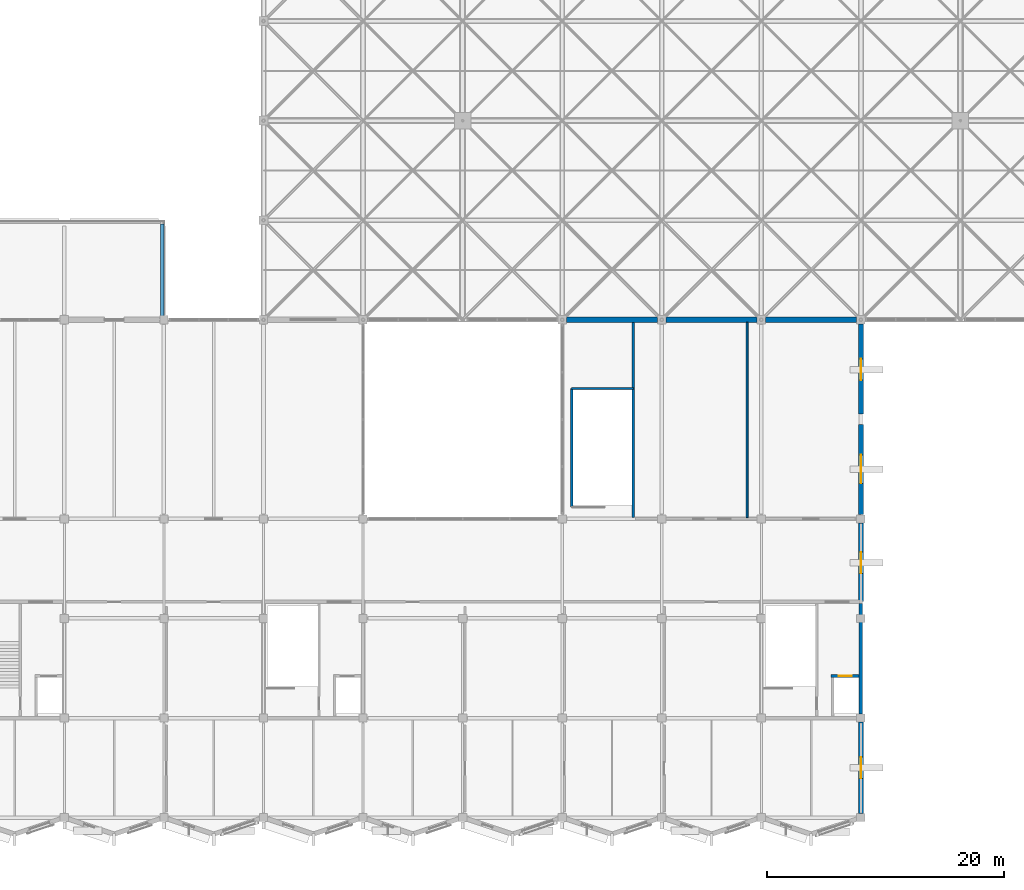
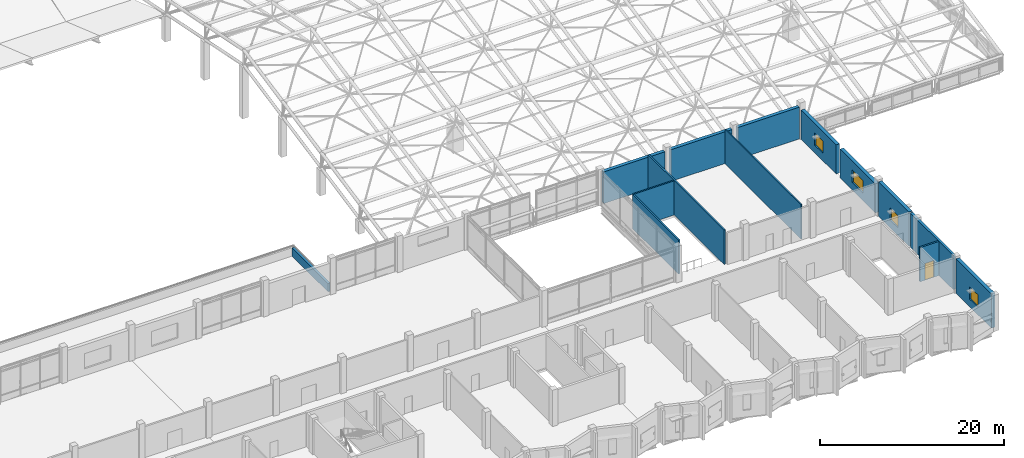
# One storey, part 92 of 110: 14 walls, 4 windows, 1 door, 5 openings.
"""IFC4 building model written with IfcOpenShell, lengths in metres."""

from ifc_helpers import new_model, si_unit, direction, frame, frame_2d, origin, place, context, subcontext, project, spatial, rectangle, extrude, material, layer, layer_set, type_object, element, fill, save


model = new_model("IFC4")

# Units and contexts
model_context = context("Model", 3, precision=1e-05, world=origin(), true_north=direction((0.0, 1.0)))
body_context = subcontext(model_context, "Body", "Model", "MODEL_VIEW")
ifc_project = project(units=[si_unit("LENGTHUNIT", "METRE"), si_unit("AREAUNIT", "SQUARE_METRE"), si_unit("VOLUMEUNIT", "CUBIC_METRE"), si_unit("PLANEANGLEUNIT", "RADIAN"), si_unit("MASSUNIT", "GRAM", prefix="KILO")], contexts=[model_context])

# Site, building, storey
site_placement = place(None, origin())
site = spatial("IfcSite", under=ifc_project, at=site_placement, CompositionType="ELEMENT")
building_placement = place(site_placement, origin())
building = spatial("IfcBuilding", under=site, at=building_placement, Name="Qawsi Khor Wholesale Market", CompositionType="ELEMENT")
storey_placement = place(building_placement, frame((0.0, 0.0, 11.39990234375)))
storey = spatial("IfcBuildingStorey", under=building, at=storey_placement, Name="L02", CompositionType="ELEMENT", Elevation=11.39990234375)

# Wall
ifc_material_1 = material(Name="Concrete C40/50", Category="concrete")
ifc_layer_1 = layer(ifc_material_1, 0.300048828125, Name="Concrete C40/50")
ifc_layer_set_1 = layer_set([ifc_layer_1], Name="Concrete C40/50")
wall_type_1 = type_object("IfcWallType", Name="Core Shear Wall RC 300 C40/50", PredefinedType="SHEAR", material=ifc_layer_set_1)
wall_1_placement = place(storey_placement, frame((193.199951171875, 18.050048828125, 0.0), z_axis=(0.0, 0.0, 1.0), x_axis=(0.0, -1.0, 0.0)))
element("IfcWall", 1, at=wall_1_placement, inside=storey, type_object=wall_type_1, Name="Core C06 east shear wall L02", PredefinedType="SHEAR", context=body_context, shape_type="SweptSolid", body=[
    extrude(rectangle(XDim=9.295166015625, YDim=0.300048828125, at=frame_2d((4.6474609375, 0.0))), origin(), (0.0, 0.0, 1.0), 4.52001953125),
])

# Wall, opening, door
ifc_layer_2 = layer(ifc_material_1, 0.219970703125, Name="Concrete C40/50")
ifc_layer_set_2 = layer_set([ifc_layer_2], Name="Concrete C40/50")
wall_type_2 = type_object("IfcWallType", Name="Lift & Stair Shaft Wall RC 220", PredefinedType="SOLIDWALL", material=ifc_layer_set_2)
wall_2_placement = place(storey_placement, frame((190.699951171875, 11.949951171875, 0.0), z_axis=(0.0, 0.0, 1.0), x_axis=(1.0, 0.0, 0.0)))
wall_2 = element("IfcWall", 2, at=wall_2_placement, inside=storey, type_object=wall_type_2, Name="Lift PL-04 shaft wall N L02", PredefinedType="SOLIDWALL", context=body_context, shape_type="SweptSolid", body=[
    extrude(rectangle(XDim=2.340087890625, YDim=0.219970703125, at=frame_2d((1.169921875, 0.0))), origin(), (0.0, 0.0, 1.0), 4.52001953125),
])
opening_1_placement = place(wall_2_placement, frame((0.6201171875, 0.0, 0.0)))
opening_1 = element("IfcOpeningElement", 3, at=opening_1_placement, cuts=wall_2, Name="Opening LD-P110", PredefinedType="OPENING", context=body_context, shape_type="SweptSolid", body=[
    extrude(rectangle(XDim=1.10009765625, YDim=2.199951171875, at=frame_2d((0.550048828125, 1.10009765625))), frame((0.0, 0.119873046875, 0.0), z_axis=(0.0, -1.0, 0.0), x_axis=(1.0, 0.0, 0.0)), (0.0, 0.0, 1.0), 0.239990234375),
])
ifc_material_2 = material(Name="Brushed Stainless Steel", Category="steel")
door_type = type_object("IfcDoorType", Name="Passenger Lift Landing Sliding Door 1100x2200 FD90S", OperationType="NOTDEFINED", PredefinedType="DOOR", material=ifc_material_2)
door_placement = place(opening_1_placement, origin())
door = element("IfcDoor", 4, at=door_placement, inside=storey, type_object=door_type, Name="Lift PL-04 landing door L02", OperationType="SLIDING_TO_LEFT", OverallHeight=2.199951171875, OverallWidth=1.10009765625, PredefinedType="DOOR", context=body_context, shape_type="SweptSolid", body=[
    extrude(rectangle(XDim=1.10009765625, YDim=2.199951171875, at=frame_2d((0.550048828125, 1.10009765625))), frame((0.0, 0.02490234375, 0.0), z_axis=(0.0, -1.0, 0.0), x_axis=(1.0, 0.0, 0.0)), (0.0, 0.0, 1.0), 0.050048828125),
])
fill(opening_1, door)

# Wall, opening, window
ifc_layer_3 = layer(ifc_material_1, 0.429931640625, Name="Concrete C40/50")
ifc_layer_set_3 = layer_set([ifc_layer_3], Name="Concrete C40/50")
wall_type_3 = type_object("IfcWallType", Name="Sculpted Ribbed Concrete Facade Wall 430", PredefinedType="SOLIDWALL", material=ifc_layer_set_3)
wall_3_placement = place(storey_placement, frame((193.199951171875, 8.044921875, 0.0), z_axis=(0.0, 0.0, 1.0), x_axis=(0.0, -1.0, 0.0)))
wall_3 = element("IfcWall", 5, at=wall_3_placement, inside=storey, type_object=wall_type_3, Name="EW-L02-SWE-0", PredefinedType="SOLIDWALL", context=body_context, shape_type="SweptSolid", body=[
    extrude(rectangle(XDim=7.68994140625, YDim=0.429931640625, at=frame_2d((3.844970703125, 0.0))), origin(), (0.0, 0.0, 1.0), 4.550048828125),
])
opening_2_placement = place(wall_3_placement, frame((2.945068359375, 0.0, 1.0)))
opening_2 = element("IfcOpeningElement", 6, at=opening_2_placement, cuts=wall_3, Name="Opening W-05", PredefinedType="OPENING", context=body_context, shape_type="SweptSolid", body=[
    extrude(rectangle(XDim=1.800048828125, YDim=1.64990234375, at=frame_2d((0.89990234375, 0.824951171875))), frame((0.0, 0.224853515625, 0.0), z_axis=(0.0, -1.0, 0.0), x_axis=(1.0, 0.0, 0.0)), (0.0, 0.0, 1.0), 0.449951171875),
])
ifc_material_3 = material(Name="Thermally Broken Aluminium & Low-E Glass", Category="aluminium")
window_type_1 = type_object("IfcWindowType", Name="Win W-05 Traders Office Double 1800x1650", PartitioningType="SINGLE_PANEL", PredefinedType="WINDOW", material=ifc_material_3)
window_1_placement = place(opening_2_placement, origin())
window_1 = element("IfcWindow", 7, at=window_1_placement, inside=storey, type_object=window_type_1, Name="Win W-05 Traders Office Double 1800x1650 123", OverallHeight=1.64990234375, OverallWidth=1.800048828125, PartitioningType="SINGLE_PANEL", PredefinedType="WINDOW", context=body_context, shape_type="SweptSolid", body=[
    extrude(rectangle(XDim=1.800048828125, YDim=1.64990234375, at=frame_2d((0.89990234375, 0.824951171875))), frame((0.0, 0.030029296875, 0.0), z_axis=(0.0, -1.0, 0.0), x_axis=(1.0, 0.0, 0.0)), (0.0, 0.0, 1.0), 0.06005859375),
])
fill(opening_2, window_1)

wall_4_placement = place(storey_placement, frame((193.199951171875, 24.844970703125, 0.0), z_axis=(0.0, 0.0, 1.0), x_axis=(0.0, -1.0, 0.0)))
wall_4 = element("IfcWall", 8, at=wall_4_placement, inside=storey, type_object=wall_type_3, Name="EW-L02-SWE-2", PredefinedType="SOLIDWALL", context=body_context, shape_type="SweptSolid", body=[
    extrude(rectangle(XDim=6.594970703125, YDim=0.429931640625, at=frame_2d((3.29736328125, 0.0))), origin(), (0.0, 0.0, 1.0), 4.550048828125),
])
opening_3_placement = place(wall_4_placement, frame((2.445068359375, 0.0, 1.0)))
opening_3 = element("IfcOpeningElement", 9, at=opening_3_placement, cuts=wall_4, Name="Opening W-05", PredefinedType="OPENING", context=body_context, shape_type="SweptSolid", body=[
    extrude(rectangle(XDim=1.800048828125, YDim=1.64990234375, at=frame_2d((0.89990234375, 0.824951171875))), frame((0.0, 0.224853515625, 0.0), z_axis=(0.0, -1.0, 0.0), x_axis=(1.0, 0.0, 0.0)), (0.0, 0.0, 1.0), 0.449951171875),
])
window_2_placement = place(opening_3_placement, origin())
window_2 = element("IfcWindow", 10, at=window_2_placement, inside=storey, type_object=window_type_1, Name="Win W-05 Traders Office Double 1800x1650 124", OverallHeight=1.64990234375, OverallWidth=1.800048828125, PartitioningType="SINGLE_PANEL", PredefinedType="WINDOW", context=body_context, shape_type="SweptSolid", body=[
    extrude(rectangle(XDim=1.800048828125, YDim=1.64990234375, at=frame_2d((0.89990234375, 0.824951171875))), frame((0.0, 0.030029296875, 0.0), z_axis=(0.0, -1.0, 0.0), x_axis=(1.0, 0.0, 0.0)), (0.0, 0.0, 1.0), 0.06005859375),
])
fill(opening_3, window_2)

wall_5_placement = place(storey_placement, frame((193.199951171875, 33.14990234375, 0.0), z_axis=(0.0, 0.0, 1.0), x_axis=(0.0, -1.0, 0.0)))
wall_5 = element("IfcWall", 11, at=wall_5_placement, inside=storey, type_object=wall_type_3, Name="EW-L02-SWE-3", PredefinedType="SOLIDWALL", context=body_context, shape_type="SweptSolid", body=[
    extrude(rectangle(XDim=7.594970703125, YDim=0.429931640625, at=frame_2d((3.79736328125, 0.0))), origin(), (0.0, 0.0, 1.0), 3.860107421875),
])
opening_4_placement = place(wall_5_placement, frame((2.550048828125, 0.0, 1.0)))
opening_4 = element("IfcOpeningElement", 12, at=opening_4_placement, cuts=wall_5, Name="Opening W-06", PredefinedType="OPENING", context=body_context, shape_type="SweptSolid", body=[
    extrude(rectangle(XDim=2.39990234375, YDim=1.64990234375, at=frame_2d((1.199951171875, 0.824951171875))), frame((0.0, 0.224853515625, 0.0), z_axis=(0.0, -1.0, 0.0), x_axis=(1.0, 0.0, 0.0)), (0.0, 0.0, 1.0), 0.449951171875),
])
window_type_2 = type_object("IfcWindowType", Name="Win W-06 Traders Office Triple 2400x1650", PartitioningType="SINGLE_PANEL", PredefinedType="WINDOW", material=ifc_material_3)
window_3_placement = place(opening_4_placement, origin())
window_3 = element("IfcWindow", 13, at=window_3_placement, inside=storey, type_object=window_type_2, Name="Win W-06 Traders Office Triple 2400x1650 125", OverallHeight=1.64990234375, OverallWidth=2.39990234375, PartitioningType="SINGLE_PANEL", PredefinedType="WINDOW", context=body_context, shape_type="SweptSolid", body=[
    extrude(rectangle(XDim=2.39990234375, YDim=1.64990234375, at=frame_2d((1.199951171875, 0.824951171875))), frame((0.0, 0.030029296875, 0.0), z_axis=(0.0, -1.0, 0.0), x_axis=(1.0, 0.0, 0.0)), (0.0, 0.0, 1.0), 0.06005859375),
])
fill(opening_4, window_3)

wall_6_placement = place(storey_placement, frame((193.199951171875, 41.64501953125, 0.0), z_axis=(0.0, 0.0, 1.0), x_axis=(0.0, -1.0, 0.0)))
wall_6 = element("IfcWall", 14, at=wall_6_placement, inside=storey, type_object=wall_type_3, Name="EW-L02-SWE-4", PredefinedType="SOLIDWALL", context=body_context, shape_type="SweptSolid", body=[
    extrude(rectangle(XDim=7.594970703125, YDim=0.429931640625, at=frame_2d((3.79736328125, 0.0))), origin(), (0.0, 0.0, 1.0), 3.860107421875),
])
opening_5_placement = place(wall_6_placement, frame((2.945068359375, 0.0, 1.0)))
opening_5 = element("IfcOpeningElement", 15, at=opening_5_placement, cuts=wall_6, Name="Opening W-05", PredefinedType="OPENING", context=body_context, shape_type="SweptSolid", body=[
    extrude(rectangle(XDim=1.800048828125, YDim=1.64990234375, at=frame_2d((0.89990234375, 0.824951171875))), frame((0.0, 0.224853515625, 0.0), z_axis=(0.0, -1.0, 0.0), x_axis=(1.0, 0.0, 0.0)), (0.0, 0.0, 1.0), 0.449951171875),
])
window_4_placement = place(opening_5_placement, origin())
window_4 = element("IfcWindow", 16, at=window_4_placement, inside=storey, type_object=window_type_1, Name="Win W-05 Traders Office Double 1800x1650 126", OverallHeight=1.64990234375, OverallWidth=1.800048828125, PartitioningType="SINGLE_PANEL", PredefinedType="WINDOW", context=body_context, shape_type="SweptSolid", body=[
    extrude(rectangle(XDim=1.800048828125, YDim=1.64990234375, at=frame_2d((0.89990234375, 0.824951171875))), frame((0.0, 0.030029296875, 0.0), z_axis=(0.0, -1.0, 0.0), x_axis=(1.0, 0.0, 0.0)), (0.0, 0.0, 1.0), 0.06005859375),
])
fill(opening_5, window_4)

# Walls
wall_7_placement = place(storey_placement, frame((168.35498046875, 42.0, 0.0), z_axis=(0.0, 0.0, 1.0), x_axis=(1.0, 0.0, 0.0)))
element("IfcWall", 17, at=wall_7_placement, inside=storey, type_object=wall_type_3, Name="EW-L02-SWF-20", PredefinedType="SOLIDWALL", context=body_context, shape_type="SweptSolid", body=[
    extrude(rectangle(XDim=7.68994140625, YDim=0.429931640625, at=frame_2d((3.844970703125, 0.0))), origin(), (0.0, 0.0, 1.0), 4.2001953125),
])
wall_8_placement = place(storey_placement, frame((176.7548828125, 42.0, 0.0), z_axis=(0.0, 0.0, 1.0), x_axis=(1.0, 0.0, 0.0)))
element("IfcWall", 18, at=wall_8_placement, inside=storey, type_object=wall_type_3, Name="EW-L02-SWF-21", PredefinedType="SOLIDWALL", context=body_context, shape_type="SweptSolid", body=[
    extrude(rectangle(XDim=7.690185546875, YDim=0.429931640625, at=frame_2d((3.84521484375, 0.0))), origin(), (0.0, 0.0, 1.0), 4.2001953125),
])
wall_9_placement = place(storey_placement, frame((185.155029296875, 42.0, 0.0), z_axis=(0.0, 0.0, 1.0), x_axis=(1.0, 0.0, 0.0)))
element("IfcWall", 19, at=wall_9_placement, inside=storey, type_object=wall_type_3, Name="EW-L02-SWF-22", PredefinedType="SOLIDWALL", context=body_context, shape_type="SweptSolid", body=[
    extrude(rectangle(XDim=7.68994140625, YDim=0.429931640625, at=frame_2d((3.844970703125, 0.0))), origin(), (0.0, 0.0, 1.0), 4.2001953125),
])
ifc_layer_4 = layer(ifc_material_1, 0.18994140625, Name="Concrete C40/50")
ifc_layer_set_4 = layer_set([ifc_layer_4], Name="Concrete C40/50")
wall_type_4 = type_object("IfcWallType", Name="Stairwell Enclosure Wall RC 190", PredefinedType="SOLIDWALL", material=ifc_layer_set_4)
wall_10_placement = place(storey_placement, frame((168.800048828125, 26.199951171875, 0.0), z_axis=(0.0, 0.0, 1.0), x_axis=(0.0, 1.0, 0.0)))
element("IfcWall", 20, at=wall_10_placement, inside=storey, type_object=wall_type_4, Name="Atrium stair enclosure W E L02", PredefinedType="SOLIDWALL", context=body_context, shape_type="SweptSolid", body=[
    extrude(rectangle(XDim=10.0, YDim=0.18994140625, at=frame_2d((5.0, 0.0))), origin(), (0.0, 0.0, 1.0), 4.52001953125),
])
wall_11_placement = place(storey_placement, frame((168.800048828125, 36.199951171875, 0.0), z_axis=(0.0, 0.0, 1.0), x_axis=(1.0, 0.0, 0.0)))
element("IfcWall", 21, at=wall_11_placement, inside=storey, type_object=wall_type_4, Name="Atrium stair enclosure N E L02", PredefinedType="SOLIDWALL", context=body_context, shape_type="SweptSolid", body=[
    extrude(rectangle(XDim=5.199951171875, YDim=0.18994140625, at=frame_2d((2.60009765625, 0.0))), origin(), (0.0, 0.0, 1.0), 4.52001953125),
])
wall_12_placement = place(storey_placement, frame((174.0, 25.300048828125, 0.0), z_axis=(0.0, 0.0, 1.0), x_axis=(0.0, 1.0, 0.0)))
element("IfcWall", 22, at=wall_12_placement, inside=storey, type_object=wall_type_4, Name="Atrium stair enclosure E E L02", PredefinedType="SOLIDWALL", context=body_context, shape_type="SweptSolid", body=[
    extrude(rectangle(XDim=16.489990234375, YDim=0.18994140625, at=frame_2d((8.2451171875, 0.0))), origin(), (0.0, 0.0, 1.0), 4.550048828125),
])
ifc_layer_5 = layer(ifc_material_1, 0.27001953125, Name="Concrete C40/50")
ifc_layer_set_5 = layer_set([ifc_layer_5], Name="Concrete C40/50")
wall_type_5 = type_object("IfcWallType", Name="Terrace Parapet Upstand Wall 270", PredefinedType="PARAPET", material=ifc_layer_set_5)
wall_13_placement = place(storey_placement, frame((134.25, 42.300048828125, 0.0), z_axis=(0.0, 0.0, 1.0), x_axis=(0.0, 1.0, 0.0)))
element("IfcWall", 23, at=wall_13_placement, inside=storey, type_object=wall_type_5, Name="Roof parapet PRP-L02-TER-E", PredefinedType="PARAPET", context=body_context, shape_type="SweptSolid", body=[
    extrude(rectangle(XDim=7.800048828125, YDim=0.27001953125, at=frame_2d((3.89990234375, 0.0))), origin(), (0.0, 0.0, 1.0), 1.10009765625),
])
ifc_material_4 = material(Name="Cementitious Tile Backer Board", Category="gypsum")
ifc_layer_6 = layer(ifc_material_4, 0.1650390625, Name="Cementitious Tile Backer Board")
ifc_layer_set_6 = layer_set([ifc_layer_6], Name="Cementitious Tile Backer Board")
wall_type_6 = type_object("IfcWallType", Name="Wet-Area Tile-Backed Partition 165", PredefinedType="PARTITIONING", material=ifc_layer_set_6)
wall_14_placement = place(storey_placement, frame((183.60009765625, 25.304931640625, 0.0), z_axis=(0.0, 0.0, 1.0), x_axis=(0.0, 1.0, 0.0)))
element("IfcWall", 24, at=wall_14_placement, inside=storey, type_object=wall_type_6, Name="PW-L02-098", PredefinedType="PARTITIONING", context=body_context, shape_type="SweptSolid", body=[
    extrude(rectangle(XDim=16.47998046875, YDim=0.1650390625, at=frame_2d((8.239990234375, 0.0))), origin(), (0.0, 0.0, 1.0), 4.550048828125),
])

save(model, "model.ifc")
